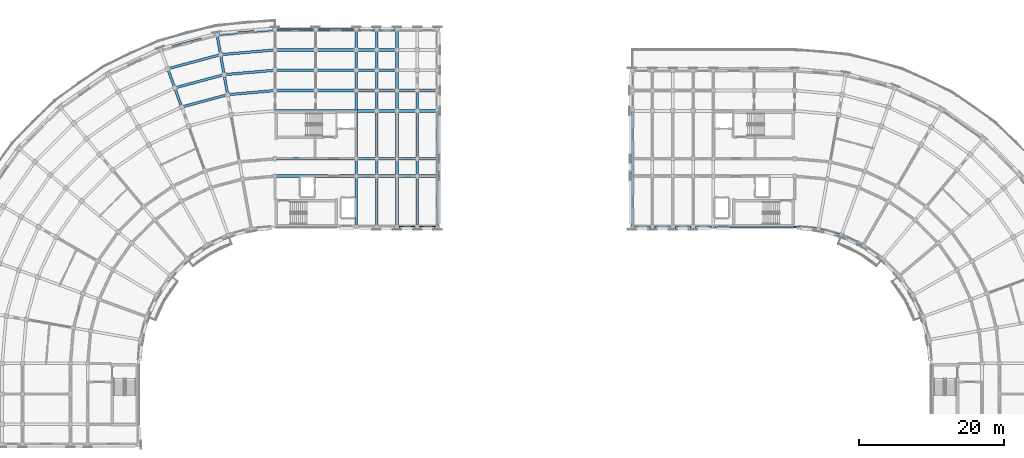
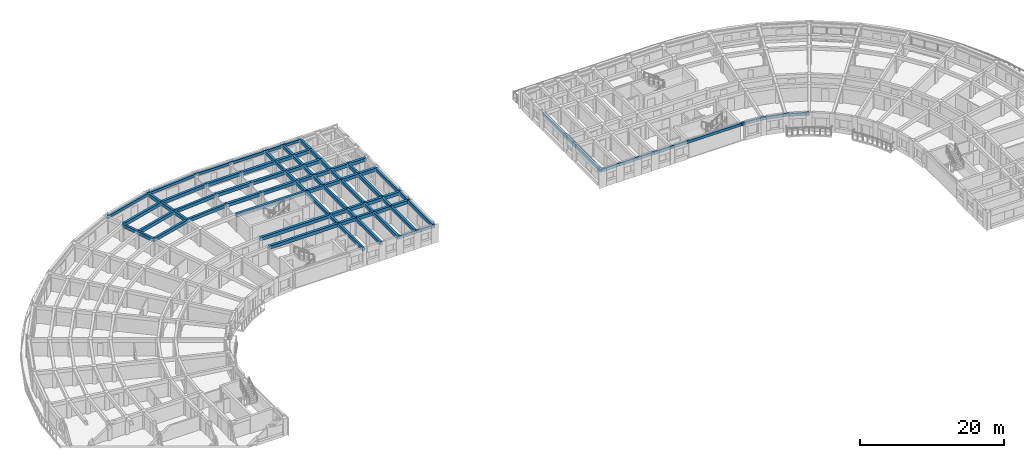
# One storey, part 6 of 41: 87 beams.
"""IFC4 building model written with IfcOpenShell, lengths in metres."""

from ifc_helpers import new_model, si_unit, direction, frame, origin, origin_2d, place, context, subcontext, project, spatial, rectangle, extrude, material, material_profile, profile_set, type_object, element, save


model = new_model("IFC4")

# Units and contexts
model_context = context("Model", 3, precision=1e-05, world=origin(), true_north=direction((0.0, 1.0)))
body_context = subcontext(model_context, "Body", "Model", "MODEL_VIEW")
ifc_project = project(units=[si_unit("LENGTHUNIT", "METRE"), si_unit("AREAUNIT", "SQUARE_METRE"), si_unit("VOLUMEUNIT", "CUBIC_METRE"), si_unit("PLANEANGLEUNIT", "RADIAN"), si_unit("MASSUNIT", "GRAM", prefix="KILO")], contexts=[model_context])

# Site, building, storey
site_placement = place(None, origin())
site = spatial("IfcSite", under=ifc_project, at=site_placement, CompositionType="ELEMENT")
building_placement = place(site_placement, origin())
building = spatial("IfcBuilding", under=site, at=building_placement, Name="Kiranvali Square Residences", CompositionType="ELEMENT")
storey_placement = place(building_placement, frame((0.0, 0.0, 33.89990234375)))
storey = spatial("IfcBuildingStorey", under=building, at=storey_placement, Name="L10", CompositionType="ELEMENT", Elevation=33.89990234375)

# Beams
ifc_material_1 = material(Name="Concrete M40 (40 MPa)", Category="concrete")
ifc_material_profile_1 = material_profile(ifc_material_1, rectangle(XDim=0.35009765625, YDim=0.550048828125, at=origin_2d()), Name="RC 350x550")
ifc_profile_set_1 = profile_set([ifc_material_profile_1], Name="Concrete M40 (40 MPa)")
beam_type_1 = type_object("IfcBeamType", Name="BM-M40-350x550", PredefinedType="BEAM", material=ifc_profile_set_1)
beam_1_placement = place(storey_placement, frame((48.199951171875, 125.39990234375, 2.655029296875), z_axis=(-0.996196991902, -0.0871295204, 0.0), x_axis=(0.0871295204, -0.996196991902, 0.0)))
element("IfcBeam", 1, at=beam_1_placement, inside=storey, type_object=beam_type_1, Name="L10 beam BM-A-L10-C00-R4", PredefinedType="BEAM", context=body_context, shape_type="SweptSolid", body=[
    extrude(rectangle(XDim=0.35009765625, YDim=0.550048828125, at=origin_2d()), origin(), (0.0, 0.0, 1.0), 6.553955078125),
])
beam_2_placement = place(storey_placement, frame((48.199951171875, 128.199951171875, 2.655029296875), z_axis=(-0.996194658198, -0.087156198737, 0.0), x_axis=(0.087156198737, -0.996194658198, 0.0)))
element("IfcBeam", 2, at=beam_2_placement, inside=storey, type_object=beam_type_1, Name="L10 beam BM-A-L10-C00-R5", PredefinedType="BEAM", context=body_context, shape_type="SweptSolid", body=[
    extrude(rectangle(XDim=0.35009765625, YDim=0.550048828125, at=origin_2d()), origin(), (0.0, 0.0, 1.0), 7.042236328125),
])
beam_3_placement = place(storey_placement, frame((48.199951171875, 131.0, 2.655029296875), z_axis=(-0.996195195417, -0.087150058103, 0.0), x_axis=(0.087150058103, -0.996195195417, 0.0)))
element("IfcBeam", 3, at=beam_3_placement, inside=storey, type_object=beam_type_1, Name="L10 beam BM-A-L10-C00-R6", PredefinedType="BEAM", context=body_context, shape_type="SweptSolid", body=[
    extrude(rectangle(XDim=0.35009765625, YDim=0.550048828125, at=origin_2d()), origin(), (0.0, 0.0, 1.0), 7.530029296875),
])
beam_4_placement = place(storey_placement, frame((41.6708984375, 124.828857421875, 2.655029296875), z_axis=(-0.965918287583, -0.258847178297, 0.0), x_axis=(0.258847178297, -0.965918287583, 0.0)))
element("IfcBeam", 4, at=beam_4_placement, inside=storey, type_object=beam_type_1, Name="L10 beam BM-A-L10-C01-R4", PredefinedType="BEAM", context=body_context, shape_type="SweptSolid", body=[
    extrude(rectangle(XDim=0.35009765625, YDim=0.550048828125, at=origin_2d()), origin(), (0.0, 0.0, 1.0), 6.55419921875),
])
beam_5_placement = place(storey_placement, frame((41.1845703125, 127.586181640625, 2.655029296875), z_axis=(-0.965931029817, -0.258799624492, 0.0), x_axis=(0.258799624492, -0.965931029817, 0.0)))
element("IfcBeam", 5, at=beam_5_placement, inside=storey, type_object=beam_type_1, Name="L10 beam BM-A-L10-C01-R5", PredefinedType="BEAM", context=body_context, shape_type="SweptSolid", body=[
    extrude(rectangle(XDim=0.35009765625, YDim=0.550048828125, at=origin_2d()), origin(), (0.0, 0.0, 1.0), 7.042236328125),
])
beam_6_placement = place(storey_placement, frame((40.698486328125, 130.34375, 2.655029296875), z_axis=(-0.965925909693, -0.258818733833, 0.0), x_axis=(0.258818733833, -0.965925909693, 0.0)))
element("IfcBeam", 6, at=beam_6_placement, inside=storey, type_object=beam_type_1, Name="L10 beam BM-A-L10-C01-R6", PredefinedType="BEAM", context=body_context, shape_type="SweptSolid", body=[
    extrude(rectangle(XDim=0.35009765625, YDim=0.550048828125, at=origin_2d()), origin(), (0.0, 0.0, 1.0), 7.5302734375),
])
beam_7_placement = place(storey_placement, frame((41.6708984375, 124.828857421875, 2.655029296875), z_axis=(-0.173695795656, 0.984799355489, 0.0), x_axis=(-0.984799355489, -0.173695795656, 0.0)))
element("IfcBeam", 7, at=beam_7_placement, inside=storey, type_object=beam_type_1, Name="L10 beam BM-A-L10-RAD01-45", PredefinedType="BEAM", context=body_context, shape_type="SweptSolid", body=[
    extrude(rectangle(XDim=0.35009765625, YDim=0.550048828125, at=origin_2d()), origin(), (0.0, 0.0, 1.0), 2.7998046875),
])
beam_8_placement = place(storey_placement, frame((41.1845703125, 127.586181640625, 2.655029296875), z_axis=(-0.173596320392, 0.984816895441, 0.0), x_axis=(-0.984816895441, -0.173596320392, 0.0)))
element("IfcBeam", 8, at=beam_8_placement, inside=storey, type_object=beam_type_1, Name="L10 beam BM-A-L10-RAD01-56", PredefinedType="BEAM", context=body_context, shape_type="SweptSolid", body=[
    extrude(rectangle(XDim=0.35009765625, YDim=0.550048828125, at=origin_2d()), origin(), (0.0, 0.0, 1.0), 2.800048828125),
])
beam_9_placement = place(storey_placement, frame((40.698486328125, 130.34375, 2.655029296875), z_axis=(-0.173695795656, 0.984799355489, 0.0), x_axis=(-0.984799355489, -0.173695795656, 0.0)))
element("IfcBeam", 9, at=beam_9_placement, inside=storey, type_object=beam_type_1, Name="L10 beam BM-A-L10-RAD01-67", PredefinedType="BEAM", context=body_context, shape_type="SweptSolid", body=[
    extrude(rectangle(XDim=0.35009765625, YDim=0.550048828125, at=origin_2d()), origin(), (0.0, 0.0, 1.0), 2.7998046875),
])
beam_10_placement = place(storey_placement, frame((35.340087890625, 123.13232421875, 2.655029296875), z_axis=(-0.342030060398, 0.939689011208, 0.0), x_axis=(-0.939689011208, -0.342030060398, 0.0)))
element("IfcBeam", 10, at=beam_10_placement, inside=storey, type_object=beam_type_1, Name="L10 beam BM-A-L10-RAD02-45", PredefinedType="BEAM", context=body_context, shape_type="SweptSolid", body=[
    extrude(rectangle(XDim=0.35009765625, YDim=0.550048828125, at=origin_2d()), origin(), (0.0, 0.0, 1.0), 2.80029296875),
])
beam_11_placement = place(storey_placement, frame((34.38232421875, 125.763671875, 2.655029296875), z_axis=(-0.341981089711, 0.93970683422, 0.0), x_axis=(-0.93970683422, -0.341981089711, 0.0)))
element("IfcBeam", 11, at=beam_11_placement, inside=storey, type_object=beam_type_1, Name="L10 beam BM-A-L10-RAD02-56", PredefinedType="BEAM", context=body_context, shape_type="SweptSolid", body=[
    extrude(rectangle(XDim=0.35009765625, YDim=0.550048828125, at=origin_2d()), origin(), (0.0, 0.0, 1.0), 2.7998046875),
])
beam_12_placement = place(storey_placement, frame((59.39990234375, 106.60009765625, 2.655029296875), z_axis=(0.0, 1.0, 0.0), x_axis=(-1.0, 0.0, 0.0)))
element("IfcBeam", 12, at=beam_12_placement, inside=storey, type_object=beam_type_1, Name="L10 beam BM-A-L10-A1T1-01", PredefinedType="BEAM", context=body_context, shape_type="SweptSolid", body=[
    extrude(rectangle(XDim=0.35009765625, YDim=0.550048828125, at=origin_2d()), origin(), (0.0, 0.0, 1.0), 7.0),
])
beam_13_placement = place(storey_placement, frame((59.39990234375, 113.60009765625, 2.655029296875), z_axis=(0.0, 1.0, 0.0), x_axis=(-1.0, 0.0, 0.0)))
element("IfcBeam", 13, at=beam_13_placement, inside=storey, type_object=beam_type_1, Name="L10 beam BM-A-L10-A1T1-12", PredefinedType="BEAM", context=body_context, shape_type="SweptSolid", body=[
    extrude(rectangle(XDim=0.35009765625, YDim=0.550048828125, at=origin_2d()), origin(), (0.0, 0.0, 1.0), 2.39990234375),
])
beam_14_placement = place(storey_placement, frame((59.39990234375, 116.0, 2.655029296875), z_axis=(0.0, 1.0, 0.0), x_axis=(-1.0, 0.0, 0.0)))
element("IfcBeam", 14, at=beam_14_placement, inside=storey, type_object=beam_type_1, Name="L10 beam BM-A-L10-A1T1-23", PredefinedType="BEAM", context=body_context, shape_type="SweptSolid", body=[
    extrude(rectangle(XDim=0.35009765625, YDim=0.550048828125, at=origin_2d()), origin(), (0.0, 0.0, 1.0), 6.60009765625),
])
beam_15_placement = place(storey_placement, frame((59.39990234375, 122.60009765625, 2.655029296875), z_axis=(0.0, 1.0, 0.0), x_axis=(-1.0, 0.0, 0.0)))
element("IfcBeam", 15, at=beam_15_placement, inside=storey, type_object=beam_type_1, Name="L10 beam BM-A-L10-A1T1-34", PredefinedType="BEAM", context=body_context, shape_type="SweptSolid", body=[
    extrude(rectangle(XDim=0.35009765625, YDim=0.550048828125, at=origin_2d()), origin(), (0.0, 0.0, 1.0), 2.7998046875),
])
for number, where, z_axis, x_axis, name in (
    (16, (59.39990234375, 125.39990234375, 2.655029296875), (0.0, 1.0, 0.0), (-1.0, 0.0, 0.0), "L10 beam BM-A-L10-A1T1-45"),
    (17, (59.39990234375, 128.199951171875, 2.655029296875), (0.0, 1.0, 0.0), (-1.0, 0.0, 0.0), "L10 beam BM-A-L10-A1T1-56"),
    (18, (59.39990234375, 131.0, 2.655029296875), (0.0, 1.0, 0.0), (-1.0, 0.0, 0.0), "L10 beam BM-A-L10-A1T1-67"),
):
    element("IfcBeam", number, at=place(storey_placement, frame(where, z_axis=z_axis, x_axis=x_axis)), inside=storey, type_object=beam_type_1, Name=name, PredefinedType="BEAM", context=body_context, shape_type="SweptSolid", body=[
        extrude(rectangle(XDim=0.35009765625, YDim=0.550048828125, at=origin_2d()), origin(), (0.0, 0.0, 1.0), 2.800048828125),
    ])
beam_16_placement = place(storey_placement, frame((62.199951171875, 106.60009765625, 2.655029296875), z_axis=(0.0, 1.0, 0.0), x_axis=(-1.0, 0.0, 0.0)))
element("IfcBeam", 19, at=beam_16_placement, inside=storey, type_object=beam_type_1, Name="L10 beam BM-A-L10-A1T2-01", PredefinedType="BEAM", context=body_context, shape_type="SweptSolid", body=[
    extrude(rectangle(XDim=0.35009765625, YDim=0.550048828125, at=origin_2d()), origin(), (0.0, 0.0, 1.0), 7.0),
])
beam_17_placement = place(storey_placement, frame((62.199951171875, 113.60009765625, 2.655029296875), z_axis=(0.0, 1.0, 0.0), x_axis=(-1.0, 0.0, 0.0)))
element("IfcBeam", 20, at=beam_17_placement, inside=storey, type_object=beam_type_1, Name="L10 beam BM-A-L10-A1T2-12", PredefinedType="BEAM", context=body_context, shape_type="SweptSolid", body=[
    extrude(rectangle(XDim=0.35009765625, YDim=0.550048828125, at=origin_2d()), origin(), (0.0, 0.0, 1.0), 2.39990234375),
])
beam_18_placement = place(storey_placement, frame((62.199951171875, 116.0, 2.655029296875), z_axis=(0.0, 1.0, 0.0), x_axis=(-1.0, 0.0, 0.0)))
element("IfcBeam", 21, at=beam_18_placement, inside=storey, type_object=beam_type_1, Name="L10 beam BM-A-L10-A1T2-23", PredefinedType="BEAM", context=body_context, shape_type="SweptSolid", body=[
    extrude(rectangle(XDim=0.35009765625, YDim=0.550048828125, at=origin_2d()), origin(), (0.0, 0.0, 1.0), 6.60009765625),
])
beam_19_placement = place(storey_placement, frame((62.199951171875, 122.60009765625, 2.655029296875), z_axis=(0.0, 1.0, 0.0), x_axis=(-1.0, 0.0, 0.0)))
element("IfcBeam", 22, at=beam_19_placement, inside=storey, type_object=beam_type_1, Name="L10 beam BM-A-L10-A1T2-34", PredefinedType="BEAM", context=body_context, shape_type="SweptSolid", body=[
    extrude(rectangle(XDim=0.35009765625, YDim=0.550048828125, at=origin_2d()), origin(), (0.0, 0.0, 1.0), 2.7998046875),
])
for number, where, z_axis, x_axis, name in (
    (23, (62.199951171875, 125.39990234375, 2.655029296875), (0.0, 1.0, 0.0), (-1.0, 0.0, 0.0), "L10 beam BM-A-L10-A1T2-45"),
    (24, (62.199951171875, 128.199951171875, 2.655029296875), (0.0, 1.0, 0.0), (-1.0, 0.0, 0.0), "L10 beam BM-A-L10-A1T2-56"),
    (25, (62.199951171875, 131.0, 2.655029296875), (0.0, 1.0, 0.0), (-1.0, 0.0, 0.0), "L10 beam BM-A-L10-A1T2-67"),
):
    element("IfcBeam", number, at=place(storey_placement, frame(where, z_axis=z_axis, x_axis=x_axis)), inside=storey, type_object=beam_type_1, Name=name, PredefinedType="BEAM", context=body_context, shape_type="SweptSolid", body=[
        extrude(rectangle(XDim=0.35009765625, YDim=0.550048828125, at=origin_2d()), origin(), (0.0, 0.0, 1.0), 2.800048828125),
    ])
beam_20_placement = place(storey_placement, frame((65.0, 106.60009765625, 2.655029296875), z_axis=(0.0, 1.0, 0.0), x_axis=(-1.0, 0.0, 0.0)))
element("IfcBeam", 26, at=beam_20_placement, inside=storey, type_object=beam_type_1, Name="L10 beam BM-A-L10-A1T3-01", PredefinedType="BEAM", context=body_context, shape_type="SweptSolid", body=[
    extrude(rectangle(XDim=0.35009765625, YDim=0.550048828125, at=origin_2d()), origin(), (0.0, 0.0, 1.0), 7.0),
])
beam_21_placement = place(storey_placement, frame((65.0, 113.60009765625, 2.655029296875), z_axis=(0.0, 1.0, 0.0), x_axis=(-1.0, 0.0, 0.0)))
element("IfcBeam", 27, at=beam_21_placement, inside=storey, type_object=beam_type_1, Name="L10 beam BM-A-L10-A1T3-12", PredefinedType="BEAM", context=body_context, shape_type="SweptSolid", body=[
    extrude(rectangle(XDim=0.35009765625, YDim=0.550048828125, at=origin_2d()), origin(), (0.0, 0.0, 1.0), 2.39990234375),
])
beam_22_placement = place(storey_placement, frame((65.0, 116.0, 2.655029296875), z_axis=(0.0, 1.0, 0.0), x_axis=(-1.0, 0.0, 0.0)))
element("IfcBeam", 28, at=beam_22_placement, inside=storey, type_object=beam_type_1, Name="L10 beam BM-A-L10-A1T3-23", PredefinedType="BEAM", context=body_context, shape_type="SweptSolid", body=[
    extrude(rectangle(XDim=0.35009765625, YDim=0.550048828125, at=origin_2d()), origin(), (0.0, 0.0, 1.0), 6.60009765625),
])
beam_23_placement = place(storey_placement, frame((65.0, 122.60009765625, 2.655029296875), z_axis=(0.0, 1.0, 0.0), x_axis=(-1.0, 0.0, 0.0)))
element("IfcBeam", 29, at=beam_23_placement, inside=storey, type_object=beam_type_1, Name="L10 beam BM-A-L10-A1T3-34", PredefinedType="BEAM", context=body_context, shape_type="SweptSolid", body=[
    extrude(rectangle(XDim=0.35009765625, YDim=0.550048828125, at=origin_2d()), origin(), (0.0, 0.0, 1.0), 2.7998046875),
])
for number, where, z_axis, x_axis, name in (
    (30, (65.0, 125.39990234375, 2.655029296875), (0.0, 1.0, 0.0), (-1.0, 0.0, 0.0), "L10 beam BM-A-L10-A1T3-45"),
    (31, (65.0, 128.199951171875, 2.655029296875), (0.0, 1.0, 0.0), (-1.0, 0.0, 0.0), "L10 beam BM-A-L10-A1T3-56"),
    (32, (65.0, 131.0, 2.655029296875), (0.0, 1.0, 0.0), (-1.0, 0.0, 0.0), "L10 beam BM-A-L10-A1T3-67"),
):
    element("IfcBeam", number, at=place(storey_placement, frame(where, z_axis=z_axis, x_axis=x_axis)), inside=storey, type_object=beam_type_1, Name=name, PredefinedType="BEAM", context=body_context, shape_type="SweptSolid", body=[
        extrude(rectangle(XDim=0.35009765625, YDim=0.550048828125, at=origin_2d()), origin(), (0.0, 0.0, 1.0), 2.800048828125),
    ])
beam_24_placement = place(storey_placement, frame((67.800048828125, 106.60009765625, 2.655029296875), z_axis=(0.0, 1.0, 0.0), x_axis=(-1.0, 0.0, 0.0)))
element("IfcBeam", 33, at=beam_24_placement, inside=storey, type_object=beam_type_1, Name="L10 beam BM-A-L10-A1T4-01", PredefinedType="BEAM", context=body_context, shape_type="SweptSolid", body=[
    extrude(rectangle(XDim=0.35009765625, YDim=0.550048828125, at=origin_2d()), origin(), (0.0, 0.0, 1.0), 7.0),
])
beam_25_placement = place(storey_placement, frame((67.800048828125, 113.60009765625, 2.655029296875), z_axis=(0.0, 1.0, 0.0), x_axis=(-1.0, 0.0, 0.0)))
element("IfcBeam", 34, at=beam_25_placement, inside=storey, type_object=beam_type_1, Name="L10 beam BM-A-L10-A1T4-12", PredefinedType="BEAM", context=body_context, shape_type="SweptSolid", body=[
    extrude(rectangle(XDim=0.35009765625, YDim=0.550048828125, at=origin_2d()), origin(), (0.0, 0.0, 1.0), 2.39990234375),
])
beam_26_placement = place(storey_placement, frame((67.800048828125, 116.0, 2.655029296875), z_axis=(0.0, 1.0, 0.0), x_axis=(-1.0, 0.0, 0.0)))
element("IfcBeam", 35, at=beam_26_placement, inside=storey, type_object=beam_type_1, Name="L10 beam BM-A-L10-A1T4-23", PredefinedType="BEAM", context=body_context, shape_type="SweptSolid", body=[
    extrude(rectangle(XDim=0.35009765625, YDim=0.550048828125, at=origin_2d()), origin(), (0.0, 0.0, 1.0), 6.60009765625),
])
beam_27_placement = place(storey_placement, frame((67.800048828125, 122.60009765625, 2.655029296875), z_axis=(0.0, 1.0, 0.0), x_axis=(-1.0, 0.0, 0.0)))
element("IfcBeam", 36, at=beam_27_placement, inside=storey, type_object=beam_type_1, Name="L10 beam BM-A-L10-A1T4-34", PredefinedType="BEAM", context=body_context, shape_type="SweptSolid", body=[
    extrude(rectangle(XDim=0.35009765625, YDim=0.550048828125, at=origin_2d()), origin(), (0.0, 0.0, 1.0), 2.7998046875),
])
beam_28_placement = place(storey_placement, frame((70.60009765625, 106.60009765625, 2.655029296875), z_axis=(0.0, 1.0, 0.0), x_axis=(-1.0, 0.0, 0.0)))
element("IfcBeam", 37, at=beam_28_placement, inside=storey, type_object=beam_type_1, Name="L10 beam BM-A-L10-A1T5-01", PredefinedType="BEAM", context=body_context, shape_type="SweptSolid", body=[
    extrude(rectangle(XDim=0.35009765625, YDim=0.550048828125, at=origin_2d()), origin(), (0.0, 0.0, 1.0), 7.0),
])
beam_29_placement = place(storey_placement, frame((70.60009765625, 113.60009765625, 2.655029296875), z_axis=(0.0, 1.0, 0.0), x_axis=(-1.0, 0.0, 0.0)))
element("IfcBeam", 38, at=beam_29_placement, inside=storey, type_object=beam_type_1, Name="L10 beam BM-A-L10-A1T5-12", PredefinedType="BEAM", context=body_context, shape_type="SweptSolid", body=[
    extrude(rectangle(XDim=0.35009765625, YDim=0.550048828125, at=origin_2d()), origin(), (0.0, 0.0, 1.0), 2.39990234375),
])
beam_30_placement = place(storey_placement, frame((70.60009765625, 116.0, 2.655029296875), z_axis=(0.0, 1.0, 0.0), x_axis=(-1.0, 0.0, 0.0)))
element("IfcBeam", 39, at=beam_30_placement, inside=storey, type_object=beam_type_1, Name="L10 beam BM-A-L10-A1T5-23", PredefinedType="BEAM", context=body_context, shape_type="SweptSolid", body=[
    extrude(rectangle(XDim=0.35009765625, YDim=0.550048828125, at=origin_2d()), origin(), (0.0, 0.0, 1.0), 6.60009765625),
])
beam_31_placement = place(storey_placement, frame((97.39990234375, 106.60009765625, 2.655029296875), z_axis=(0.0, 1.0, 0.0), x_axis=(-1.0, 0.0, 0.0)))
element("IfcBeam", 40, at=beam_31_placement, inside=storey, type_object=beam_type_1, Name="L10 beam BM-B-L10-A1T5-01", PredefinedType="BEAM", context=body_context, shape_type="SweptSolid", body=[
    extrude(rectangle(XDim=0.35009765625, YDim=0.550048828125, at=origin_2d()), origin(), (0.0, 0.0, 1.0), 7.0),
])
beam_32_placement = place(storey_placement, frame((97.39990234375, 113.60009765625, 2.655029296875), z_axis=(0.0, 1.0, 0.0), x_axis=(-1.0, 0.0, 0.0)))
element("IfcBeam", 41, at=beam_32_placement, inside=storey, type_object=beam_type_1, Name="L10 beam BM-B-L10-A1T5-12", PredefinedType="BEAM", context=body_context, shape_type="SweptSolid", body=[
    extrude(rectangle(XDim=0.35009765625, YDim=0.550048828125, at=origin_2d()), origin(), (0.0, 0.0, 1.0), 2.39990234375),
])
beam_33_placement = place(storey_placement, frame((97.39990234375, 116.0, 2.655029296875), z_axis=(0.0, 1.0, 0.0), x_axis=(-1.0, 0.0, 0.0)))
element("IfcBeam", 42, at=beam_33_placement, inside=storey, type_object=beam_type_1, Name="L10 beam BM-B-L10-A1T5-23", PredefinedType="BEAM", context=body_context, shape_type="SweptSolid", body=[
    extrude(rectangle(XDim=0.35009765625, YDim=0.550048828125, at=origin_2d()), origin(), (0.0, 0.0, 1.0), 6.60009765625),
])
ifc_material_2 = material(Name="Concrete M45 (45 MPa)", Category="concrete")
ifc_material_profile_2 = material_profile(ifc_material_2, rectangle(XDim=0.39990234375, YDim=0.550048828125, at=origin_2d()), Name="RC 400x550")
ifc_profile_set_2 = profile_set([ifc_material_profile_2], Name="Concrete M45 (45 MPa)")
beam_type_2 = type_object("IfcBeamType", Name="BM-M45-400x550", PredefinedType="BEAM", material=ifc_profile_set_2)
beam_34_placement = place(storey_placement, frame((48.199951171875, 113.60009765625, 2.655029296875), z_axis=(1.0, 0.0, 0.0), x_axis=(0.0, 1.0, 0.0)))
element("IfcBeam", 43, at=beam_34_placement, inside=storey, type_object=beam_type_2, Name="L10 beam BM-A-L10-A1U0-R1", PredefinedType="BEAM", context=body_context, shape_type="SweptSolid", body=[
    extrude(rectangle(XDim=0.39990234375, YDim=0.550048828125, at=origin_2d()), origin(), (0.0, 0.0, 1.0), 11.199951171875),
])
for number, where, z_axis, x_axis, name in (
    (44, (59.39990234375, 113.60009765625, 2.655029296875), (1.0, 0.0, 0.0), (0.0, 1.0, 0.0), "L10 beam BM-A-L10-A1U1-R1"),
    (45, (62.199951171875, 113.60009765625, 2.655029296875), (1.0, 0.0, 0.0), (0.0, 1.0, 0.0), "L10 beam BM-A-L10-A1U2-R1"),
    (46, (65.0, 113.60009765625, 2.655029296875), (1.0, 0.0, 0.0), (0.0, 1.0, 0.0), "L10 beam BM-A-L10-A1U3-R1"),
    (47, (67.800048828125, 113.60009765625, 2.655029296875), (1.0, 0.0, 0.0), (0.0, 1.0, 0.0), "L10 beam BM-A-L10-A1U4-R1"),
):
    element("IfcBeam", number, at=place(storey_placement, frame(where, z_axis=z_axis, x_axis=x_axis)), inside=storey, type_object=beam_type_2, Name=name, PredefinedType="BEAM", context=body_context, shape_type="SweptSolid", body=[
        extrude(rectangle(XDim=0.39990234375, YDim=0.550048828125, at=origin_2d()), origin(), (0.0, 0.0, 1.0), 2.800048828125),
    ])
beam_35_placement = place(storey_placement, frame((48.199951171875, 116.0, 2.655029296875), z_axis=(1.0, 0.0, 0.0), x_axis=(0.0, 1.0, 0.0)))
element("IfcBeam", 48, at=beam_35_placement, inside=storey, type_object=beam_type_2, Name="L10 beam BM-A-L10-A1U0-R2", PredefinedType="BEAM", context=body_context, shape_type="SweptSolid", body=[
    extrude(rectangle(XDim=0.39990234375, YDim=0.550048828125, at=origin_2d()), origin(), (0.0, 0.0, 1.0), 11.199951171875),
])
for number, where, z_axis, x_axis, name in (
    (49, (59.39990234375, 116.0, 2.655029296875), (1.0, 0.0, 0.0), (0.0, 1.0, 0.0), "L10 beam BM-A-L10-A1U1-R2"),
    (50, (62.199951171875, 116.0, 2.655029296875), (1.0, 0.0, 0.0), (0.0, 1.0, 0.0), "L10 beam BM-A-L10-A1U2-R2"),
    (51, (65.0, 116.0, 2.655029296875), (1.0, 0.0, 0.0), (0.0, 1.0, 0.0), "L10 beam BM-A-L10-A1U3-R2"),
    (52, (67.800048828125, 116.0, 2.655029296875), (1.0, 0.0, 0.0), (0.0, 1.0, 0.0), "L10 beam BM-A-L10-A1U4-R2"),
):
    element("IfcBeam", number, at=place(storey_placement, frame(where, z_axis=z_axis, x_axis=x_axis)), inside=storey, type_object=beam_type_2, Name=name, PredefinedType="BEAM", context=body_context, shape_type="SweptSolid", body=[
        extrude(rectangle(XDim=0.39990234375, YDim=0.550048828125, at=origin_2d()), origin(), (0.0, 0.0, 1.0), 2.800048828125),
    ])
beam_36_placement = place(storey_placement, frame((48.199951171875, 122.60009765625, 2.655029296875), z_axis=(1.0, 0.0, 0.0), x_axis=(0.0, 1.0, 0.0)))
element("IfcBeam", 53, at=beam_36_placement, inside=storey, type_object=beam_type_2, Name="L10 beam BM-A-L10-A1U0-R3", PredefinedType="BEAM", context=body_context, shape_type="SweptSolid", body=[
    extrude(rectangle(XDim=0.39990234375, YDim=0.550048828125, at=origin_2d()), origin(), (0.0, 0.0, 1.0), 11.199951171875),
])
for number, where, z_axis, x_axis, name in (
    (54, (59.39990234375, 122.60009765625, 2.655029296875), (1.0, 0.0, 0.0), (0.0, 1.0, 0.0), "L10 beam BM-A-L10-A1U1-R3"),
    (55, (62.199951171875, 122.60009765625, 2.655029296875), (1.0, 0.0, 0.0), (0.0, 1.0, 0.0), "L10 beam BM-A-L10-A1U2-R3"),
    (56, (65.0, 122.60009765625, 2.655029296875), (1.0, 0.0, 0.0), (0.0, 1.0, 0.0), "L10 beam BM-A-L10-A1U3-R3"),
    (57, (67.800048828125, 122.60009765625, 2.655029296875), (1.0, 0.0, 0.0), (0.0, 1.0, 0.0), "L10 beam BM-A-L10-A1U4-R3"),
):
    element("IfcBeam", number, at=place(storey_placement, frame(where, z_axis=z_axis, x_axis=x_axis)), inside=storey, type_object=beam_type_2, Name=name, PredefinedType="BEAM", context=body_context, shape_type="SweptSolid", body=[
        extrude(rectangle(XDim=0.39990234375, YDim=0.550048828125, at=origin_2d()), origin(), (0.0, 0.0, 1.0), 2.800048828125),
    ])
beam_37_placement = place(storey_placement, frame((48.199951171875, 125.39990234375, 2.655029296875), z_axis=(1.0, 0.0, 0.0), x_axis=(0.0, 1.0, 0.0)))
element("IfcBeam", 58, at=beam_37_placement, inside=storey, type_object=beam_type_2, Name="L10 beam BM-A-L10-A1U0-R4", PredefinedType="BEAM", context=body_context, shape_type="SweptSolid", body=[
    extrude(rectangle(XDim=0.39990234375, YDim=0.550048828125, at=origin_2d()), origin(), (0.0, 0.0, 1.0), 5.60009765625),
])
beam_38_placement = place(storey_placement, frame((53.800048828125, 125.39990234375, 2.655029296875), z_axis=(1.0, 0.0, 0.0), x_axis=(0.0, 1.0, 0.0)))
element("IfcBeam", 59, at=beam_38_placement, inside=storey, type_object=beam_type_2, Name="L10 beam BM-A-L10-A1U1-R4", PredefinedType="BEAM", context=body_context, shape_type="SweptSolid", body=[
    extrude(rectangle(XDim=0.39990234375, YDim=0.550048828125, at=origin_2d()), origin(), (0.0, 0.0, 1.0), 5.599853515625),
])
for number, where, z_axis, x_axis, name in (
    (60, (59.39990234375, 125.39990234375, 2.655029296875), (1.0, 0.0, 0.0), (0.0, 1.0, 0.0), "L10 beam BM-A-L10-A1U2-R4"),
    (61, (62.199951171875, 125.39990234375, 2.655029296875), (1.0, 0.0, 0.0), (0.0, 1.0, 0.0), "L10 beam BM-A-L10-A1U3-R4"),
    (62, (65.0, 125.39990234375, 2.655029296875), (1.0, 0.0, 0.0), (0.0, 1.0, 0.0), "L10 beam BM-A-L10-A1U4-R4"),
    (63, (67.800048828125, 125.39990234375, 2.655029296875), (1.0, 0.0, 0.0), (0.0, 1.0, 0.0), "L10 beam BM-A-L10-A1U5-R4"),
):
    element("IfcBeam", number, at=place(storey_placement, frame(where, z_axis=z_axis, x_axis=x_axis)), inside=storey, type_object=beam_type_2, Name=name, PredefinedType="BEAM", context=body_context, shape_type="SweptSolid", body=[
        extrude(rectangle(XDim=0.39990234375, YDim=0.550048828125, at=origin_2d()), origin(), (0.0, 0.0, 1.0), 2.800048828125),
    ])
beam_39_placement = place(storey_placement, frame((48.199951171875, 128.199951171875, 2.655029296875), z_axis=(1.0, 0.0, 0.0), x_axis=(0.0, 1.0, 0.0)))
element("IfcBeam", 64, at=beam_39_placement, inside=storey, type_object=beam_type_2, Name="L10 beam BM-A-L10-A1U0-R5", PredefinedType="BEAM", context=body_context, shape_type="SweptSolid", body=[
    extrude(rectangle(XDim=0.39990234375, YDim=0.550048828125, at=origin_2d()), origin(), (0.0, 0.0, 1.0), 5.60009765625),
])
beam_40_placement = place(storey_placement, frame((53.800048828125, 128.199951171875, 2.655029296875), z_axis=(1.0, 0.0, 0.0), x_axis=(0.0, 1.0, 0.0)))
element("IfcBeam", 65, at=beam_40_placement, inside=storey, type_object=beam_type_2, Name="L10 beam BM-A-L10-A1U1-R5", PredefinedType="BEAM", context=body_context, shape_type="SweptSolid", body=[
    extrude(rectangle(XDim=0.39990234375, YDim=0.550048828125, at=origin_2d()), origin(), (0.0, 0.0, 1.0), 5.599853515625),
])
for number, where, z_axis, x_axis, name in (
    (66, (59.39990234375, 128.199951171875, 2.655029296875), (1.0, 0.0, 0.0), (0.0, 1.0, 0.0), "L10 beam BM-A-L10-A1U2-R5"),
    (67, (62.199951171875, 128.199951171875, 2.655029296875), (1.0, 0.0, 0.0), (0.0, 1.0, 0.0), "L10 beam BM-A-L10-A1U3-R5"),
):
    element("IfcBeam", number, at=place(storey_placement, frame(where, z_axis=z_axis, x_axis=x_axis)), inside=storey, type_object=beam_type_2, Name=name, PredefinedType="BEAM", context=body_context, shape_type="SweptSolid", body=[
        extrude(rectangle(XDim=0.39990234375, YDim=0.550048828125, at=origin_2d()), origin(), (0.0, 0.0, 1.0), 2.800048828125),
    ])
beam_41_placement = place(storey_placement, frame((48.199951171875, 131.0, 2.655029296875), z_axis=(1.0, 0.0, 0.0), x_axis=(0.0, 1.0, 0.0)))
element("IfcBeam", 68, at=beam_41_placement, inside=storey, type_object=beam_type_2, Name="L10 beam BM-A-L10-A1U0-R6", PredefinedType="BEAM", context=body_context, shape_type="SweptSolid", body=[
    extrude(rectangle(XDim=0.39990234375, YDim=0.550048828125, at=origin_2d()), origin(), (0.0, 0.0, 1.0), 5.60009765625),
])
beam_42_placement = place(storey_placement, frame((53.800048828125, 131.0, 2.655029296875), z_axis=(1.0, 0.0, 0.0), x_axis=(0.0, 1.0, 0.0)))
element("IfcBeam", 69, at=beam_42_placement, inside=storey, type_object=beam_type_2, Name="L10 beam BM-A-L10-A1U1-R6", PredefinedType="BEAM", context=body_context, shape_type="SweptSolid", body=[
    extrude(rectangle(XDim=0.39990234375, YDim=0.550048828125, at=origin_2d()), origin(), (0.0, 0.0, 1.0), 5.599853515625),
])
for number, where, z_axis, x_axis, name in (
    (70, (59.39990234375, 131.0, 2.655029296875), (1.0, 0.0, 0.0), (0.0, 1.0, 0.0), "L10 beam BM-A-L10-A1U2-R6"),
    (71, (62.199951171875, 131.0, 2.655029296875), (1.0, 0.0, 0.0), (0.0, 1.0, 0.0), "L10 beam BM-A-L10-A1U3-R6"),
):
    element("IfcBeam", number, at=place(storey_placement, frame(where, z_axis=z_axis, x_axis=x_axis)), inside=storey, type_object=beam_type_2, Name=name, PredefinedType="BEAM", context=body_context, shape_type="SweptSolid", body=[
        extrude(rectangle(XDim=0.39990234375, YDim=0.550048828125, at=origin_2d()), origin(), (0.0, 0.0, 1.0), 2.800048828125),
    ])
ifc_material_profile_3 = material_profile(ifc_material_1, rectangle(XDim=0.25, YDim=0.449951171875, at=origin_2d()), Name="RC 250x450")
ifc_profile_set_3 = profile_set([ifc_material_profile_3], Name="Concrete M40 (40 MPa)")
beam_type_3 = type_object("IfcBeamType", Name="SPN-M40-250x450", PredefinedType="SPANDREL", material=ifc_profile_set_3)
for number, where, z_axis, x_axis, name in (
    (72, (65.0, 106.60009765625, 2.705078125), (1.0, 0.0, 0.0), (0.0, 1.0, 0.0), "L10 beam BM-A-L10-A1U3-R0"),
    (73, (67.800048828125, 106.60009765625, 2.705078125), (1.0, 0.0, 0.0), (0.0, 1.0, 0.0), "L10 beam BM-A-L10-A1U4-R0"),
):
    element("IfcBeam", number, at=place(storey_placement, frame(where, z_axis=z_axis, x_axis=x_axis)), inside=storey, type_object=beam_type_3, Name=name, PredefinedType="SPANDREL", context=body_context, shape_type="SweptSolid", body=[
        extrude(rectangle(XDim=0.25, YDim=0.449951171875, at=origin_2d()), origin(), (0.0, 0.0, 1.0), 2.800048828125),
    ])
beam_43_placement = place(storey_placement, frame((48.199951171875, 133.800048828125, 2.705078125), z_axis=(1.0, 0.0, 0.0), x_axis=(0.0, 1.0, 0.0)))
element("IfcBeam", 74, at=beam_43_placement, inside=storey, type_object=beam_type_3, Name="L10 beam BM-A-L10-A1U0-R7", PredefinedType="SPANDREL", context=body_context, shape_type="SweptSolid", body=[
    extrude(rectangle(XDim=0.25, YDim=0.449951171875, at=origin_2d()), origin(), (0.0, 0.0, 1.0), 5.60009765625),
])
beam_44_placement = place(storey_placement, frame((53.800048828125, 133.800048828125, 2.705078125), z_axis=(1.0, 0.0, 0.0), x_axis=(0.0, 1.0, 0.0)))
element("IfcBeam", 75, at=beam_44_placement, inside=storey, type_object=beam_type_3, Name="L10 beam BM-A-L10-A1U1-R7", PredefinedType="SPANDREL", context=body_context, shape_type="SweptSolid", body=[
    extrude(rectangle(XDim=0.25, YDim=0.449951171875, at=origin_2d()), origin(), (0.0, 0.0, 1.0), 5.599853515625),
])
for number, where, z_axis, x_axis, name in (
    (76, (59.39990234375, 133.800048828125, 2.705078125), (1.0, 0.0, 0.0), (0.0, 1.0, 0.0), "L10 beam BM-A-L10-A1U2-R7"),
    (77, (62.199951171875, 133.800048828125, 2.705078125), (1.0, 0.0, 0.0), (0.0, 1.0, 0.0), "L10 beam BM-A-L10-A1U3-R7"),
):
    element("IfcBeam", number, at=place(storey_placement, frame(where, z_axis=z_axis, x_axis=x_axis)), inside=storey, type_object=beam_type_3, Name=name, PredefinedType="SPANDREL", context=body_context, shape_type="SweptSolid", body=[
        extrude(rectangle(XDim=0.25, YDim=0.449951171875, at=origin_2d()), origin(), (0.0, 0.0, 1.0), 2.800048828125),
    ])
beam_45_placement = place(storey_placement, frame((119.800048828125, 106.60009765625, 2.705078125), z_axis=(-1.0, 0.0, 0.0), x_axis=(0.0, -1.0, 0.0)))
element("IfcBeam", 78, at=beam_45_placement, inside=storey, type_object=beam_type_3, Name="L10 beam BM-B-L10-A1U0-R0", PredefinedType="SPANDREL", context=body_context, shape_type="SweptSolid", body=[
    extrude(rectangle(XDim=0.25, YDim=0.449951171875, at=origin_2d()), origin(), (0.0, 0.0, 1.0), 11.199951171875),
])
for number, where, z_axis, x_axis, name in (
    (79, (108.60009765625, 106.60009765625, 2.705078125), (-1.0, 0.0, 0.0), (0.0, -1.0, 0.0), "L10 beam BM-B-L10-A1U1-R0"),
    (80, (105.800048828125, 106.60009765625, 2.705078125), (-1.0, 0.0, 0.0), (0.0, -1.0, 0.0), "L10 beam BM-B-L10-A1U2-R0"),
    (81, (103.0, 106.60009765625, 2.705078125), (-1.0, 0.0, 0.0), (0.0, -1.0, 0.0), "L10 beam BM-B-L10-A1U3-R0"),
    (82, (100.199951171875, 106.60009765625, 2.705078125), (-1.0, 0.0, 0.0), (0.0, -1.0, 0.0), "L10 beam BM-B-L10-A1U4-R0"),
):
    element("IfcBeam", number, at=place(storey_placement, frame(where, z_axis=z_axis, x_axis=x_axis)), inside=storey, type_object=beam_type_3, Name=name, PredefinedType="SPANDREL", context=body_context, shape_type="SweptSolid", body=[
        extrude(rectangle(XDim=0.25, YDim=0.449951171875, at=origin_2d()), origin(), (0.0, 0.0, 1.0), 2.800048828125),
    ])
ifc_material_profile_4 = material_profile(ifc_material_1, rectangle(XDim=0.300048828125, YDim=0.449951171875, at=origin_2d()), Name="RC 300x450")
ifc_profile_set_4 = profile_set([ifc_material_profile_4], Name="Concrete M40 (40 MPa)")
beam_type_4 = type_object("IfcBeamType", Name="SPN-M40-300x450", PredefinedType="SPANDREL", material=ifc_profile_set_4)
for number, where, z_axis, x_axis, name in (
    (83, (48.199951171875, 133.800048828125, 2.705078125), (-0.996193254792, -0.087172238171, 0.0), (0.087172238171, -0.996193254792, 0.0), "L10 beam BM-A-L10-C00-R7"),
    (84, (40.212158203125, 133.10107421875, 2.705078125), (-0.96592902462, -0.258807108475, 0.0), (0.258807108475, -0.96592902462, 0.0), "L10 beam BM-A-L10-C01-R7"),
):
    element("IfcBeam", number, at=place(storey_placement, frame(where, z_axis=z_axis, x_axis=x_axis)), inside=storey, type_object=beam_type_4, Name=name, PredefinedType="SPANDREL", context=body_context, shape_type="SweptSolid", body=[
        extrude(rectangle(XDim=0.300048828125, YDim=0.449951171875, at=origin_2d()), origin(), (0.0, 0.0, 1.0), 8.018310546875),
    ])
beam_46_placement = place(storey_placement, frame((119.800048828125, 106.60009765625, 2.705078125), z_axis=(0.996194040944, -0.087163253657, 0.0), x_axis=(0.087163253657, 0.996194040944, 0.0)))
element("IfcBeam", 85, at=beam_46_placement, inside=storey, type_object=beam_type_4, Name="L10 beam BM-B-L10-C00-R0", PredefinedType="SPANDREL", context=body_context, shape_type="SweptSolid", body=[
    extrude(rectangle(XDim=0.300048828125, YDim=0.449951171875, at=origin_2d()), origin(), (0.0, 0.0, 1.0), 3.277099609375),
])
beam_47_placement = place(storey_placement, frame((123.064697265625, 106.314453125, 2.705078125), z_axis=(0.965925105099, -0.258821736607, 0.0), x_axis=(0.258821736607, 0.965925105099, 0.0)))
element("IfcBeam", 86, at=beam_47_placement, inside=storey, type_object=beam_type_4, Name="L10 beam BM-B-L10-C01-R0", PredefinedType="SPANDREL", context=body_context, shape_type="SweptSolid", body=[
    extrude(rectangle(XDim=0.300048828125, YDim=0.449951171875, at=origin_2d()), origin(), (0.0, 0.0, 1.0), 3.27685546875),
])
beam_48_placement = place(storey_placement, frame((126.22998046875, 105.46630859375, 2.705078125), z_axis=(0.90629730464, -0.422640740585, 0.0), x_axis=(0.422640740585, 0.90629730464, 0.0)))
element("IfcBeam", 87, at=beam_48_placement, inside=storey, type_object=beam_type_4, Name="L10 beam BM-B-L10-C02-R0", PredefinedType="SPANDREL", context=body_context, shape_type="SweptSolid", body=[
    extrude(rectangle(XDim=0.300048828125, YDim=0.449951171875, at=origin_2d()), origin(), (0.0, 0.0, 1.0), 3.277099609375),
])

save(model, "model.ifc")
